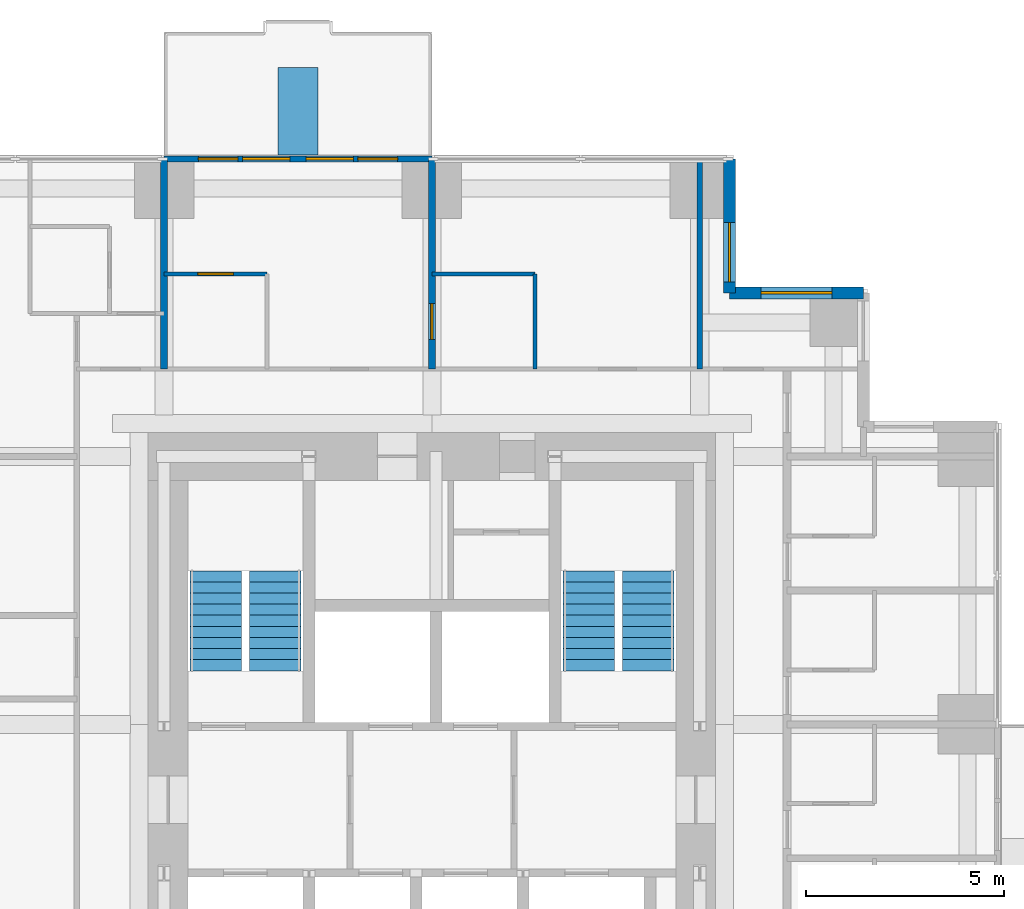
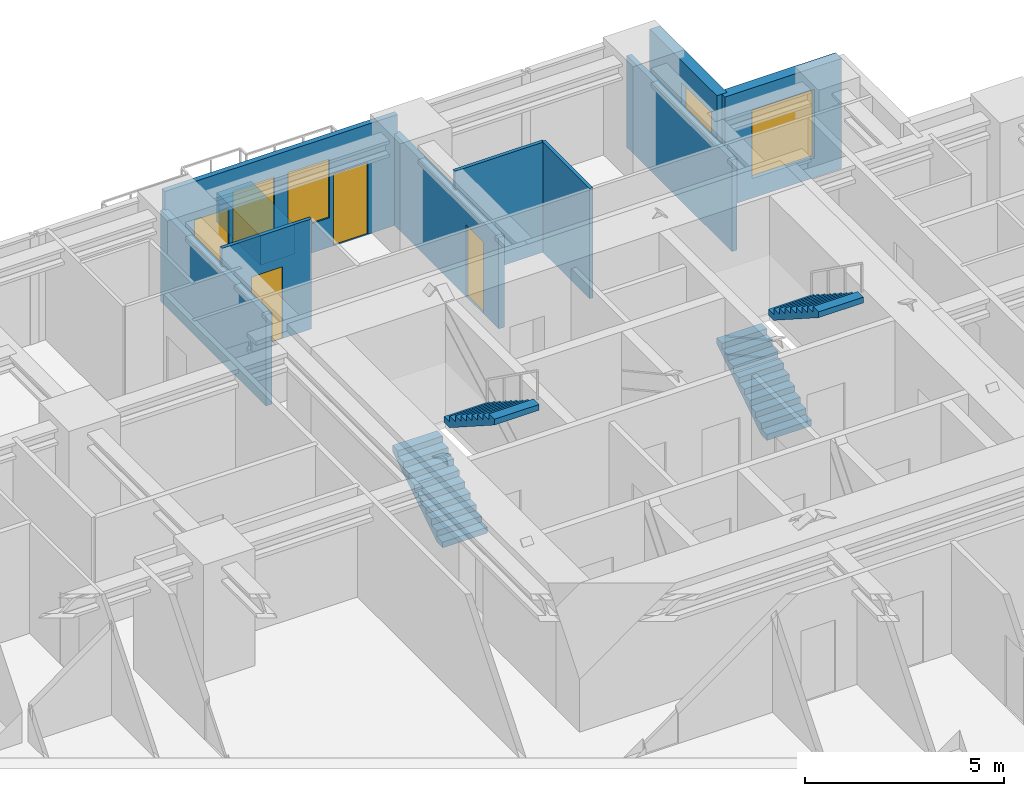
# One storey, part 9 of 10: 10 walls, 4 doors, 4 stair flights, 4 windows, 8 openings, 2 elements without a shape of their own.
"""IFC4 building model written with IfcOpenShell, lengths in metres."""

from ifc_helpers import new_model, si_unit, direction, frame, frame_2d, origin, place, context, subcontext, project, spatial, polyline, rectangle, outline, extrude, material, layer, layer_set, type_object, element, fill, aggregate, save


model = new_model("IFC4")

# Units and contexts
model_context = context("Model", 3, precision=1e-05, world=origin(), true_north=direction((0.0, 1.0)))
body_context = subcontext(model_context, "Body", "Model", "MODEL_VIEW")
ifc_project = project(units=[si_unit("LENGTHUNIT", "METRE"), si_unit("AREAUNIT", "SQUARE_METRE"), si_unit("VOLUMEUNIT", "CUBIC_METRE"), si_unit("PLANEANGLEUNIT", "RADIAN"), si_unit("MASSUNIT", "GRAM", prefix="KILO")], contexts=[model_context])

# Site, building, storey
site_placement = place(None, origin())
site = spatial("IfcSite", under=ifc_project, at=site_placement, CompositionType="ELEMENT")
building_placement = place(site_placement, origin())
building = spatial("IfcBuilding", under=site, at=building_placement, Name="Nyansa Garden Tower", CompositionType="ELEMENT")
storey_placement = place(building_placement, frame((0.0, 0.0, 163.800048828125)))
storey = spatial("IfcBuildingStorey", under=building, at=storey_placement, Name="L44", CompositionType="ELEMENT", Elevation=163.800048828125)

# Wall
ifc_material_1 = material(Name="Dense blockwork, plastered both sides, 55 dB", Category="masonry")
ifc_layer_1 = layer(ifc_material_1, 0.175048828125)
ifc_layer_set_1 = layer_set([ifc_layer_1], Name="Acoustic party wall PW175")
wall_type_1 = type_object("IfcWallType", Name="Acoustic party wall PW175", PredefinedType="PARTITIONING", material=ifc_layer_set_1)
wall_1_placement = place(storey_placement, frame((13.5, 29.199951171875, 0.0), z_axis=(0.0, 0.0, 1.0), x_axis=(0.0, 1.0, 0.0)))
element("IfcWall", 1, at=wall_1_placement, inside=storey, type_object=wall_type_1, Name="Party wall", PredefinedType="PARTITIONING", context=body_context, shape_type="SweptSolid", body=[
    extrude(rectangle(XDim=5.283935546875, YDim=0.175048828125, at=frame_2d((2.64208984375, 0.0))), origin(), (0.0, 0.0, 1.0), 2.805908203125),
])

# Wall, opening, door
wall_2_placement = place(storey_placement, frame((20.25, 29.199951171875, 0.0), z_axis=(0.0, 0.0, 1.0), x_axis=(0.0, 1.0, 0.0)))
wall_2 = element("IfcWall", 2, at=wall_2_placement, inside=storey, type_object=wall_type_1, Name="Party wall", PredefinedType="PARTITIONING", context=body_context, shape_type="SweptSolid", body=[
    extrude(rectangle(XDim=5.283935546875, YDim=0.175048828125, at=frame_2d((2.64208984375, 0.0))), origin(), (0.0, 0.0, 1.0), 2.805908203125),
])
opening_1_placement = place(wall_2_placement, frame((0.75, 0.0, 0.0)))
opening_1 = element("IfcOpeningElement", 3, at=opening_1_placement, cuts=wall_2, Name="Opening D02", PredefinedType="OPENING", context=body_context, shape_type="SweptSolid", body=[
    extrude(rectangle(XDim=0.89990234375, YDim=2.199951171875, at=frame_2d((0.449951171875, 1.10009765625))), frame((0.0, 0.097412109375, 0.0), z_axis=(0.0, -1.0, 0.0), x_axis=(1.0, 0.0, 0.0)), (0.0, 0.0, 1.0), 0.195068359375),
])
ifc_material_2 = material(Name="Timber flush door", Category="wood")
door_type_1 = type_object("IfcDoorType", Name="En-suite door D02 900x2200", OperationType="SINGLE_SWING_RIGHT", PredefinedType="DOOR", material=ifc_material_2)
door_1_placement = place(opening_1_placement, origin())
door_1 = element("IfcDoor", 4, at=door_1_placement, inside=storey, type_object=door_type_1, Name="Door L44-046", OperationType="SINGLE_SWING_RIGHT", OverallHeight=2.199951171875, OverallWidth=0.89990234375, PredefinedType="DOOR", context=body_context, shape_type="SweptSolid", body=[
    extrude(rectangle(XDim=0.89990234375, YDim=2.199951171875, at=frame_2d((0.449951171875, 1.10009765625))), frame((0.0, 0.02490234375, 0.0), z_axis=(0.0, -1.0, 0.0), x_axis=(1.0, 0.0, 0.0)), (0.0, 0.0, 1.0), 0.050048828125),
])
fill(opening_1, door_1)

# Wall, openings, doors, windows
ifc_material_3 = material(Name="Black aluminium framed glazed screen", Category="aluminium")
ifc_layer_2 = layer(ifc_material_3, 0.14990234375)
ifc_layer_set_2 = layer_set([ifc_layer_2], Name="Balcony screen wall BW150")
wall_type_2 = type_object("IfcWallType", Name="Balcony screen wall BW150", PredefinedType="SOLIDWALL", material=ifc_layer_set_2)
wall_3_placement = place(storey_placement, frame((13.5, 34.5, 0.0), z_axis=(0.0, 0.0, 1.0), x_axis=(1.0, 0.0, 0.0)))
wall_3 = element("IfcWall", 5, at=wall_3_placement, inside=storey, type_object=wall_type_2, Name="Glazed screen wall L44 N", PredefinedType="SOLIDWALL", context=body_context, shape_type="SweptSolid", body=[
    extrude(rectangle(XDim=6.75, YDim=0.14990234375, at=frame_2d((3.375, 0.0))), origin(), (0.0, 0.0, 1.0), 3.375),
])
opening_2_placement = place(wall_3_placement, frame((0.862548828125, 0.0, 0.0)))
opening_2 = element("IfcOpeningElement", 6, at=opening_2_placement, cuts=wall_3, Name="Opening D20", PredefinedType="OPENING", context=body_context, shape_type="SweptSolid", body=[
    extrude(rectangle(XDim=1.0, YDim=2.199951171875, at=frame_2d((0.5, 1.10009765625))), frame((0.0, 0.0849609375, 0.0), z_axis=(0.0, -1.0, 0.0), x_axis=(1.0, 0.0, 0.0)), (0.0, 0.0, 1.0), 0.169921875),
])
opening_3_placement = place(wall_3_placement, frame((1.97509765625, 0.0, 0.89990234375)))
opening_3 = element("IfcOpeningElement", 7, at=opening_3_placement, cuts=wall_3, Name="Opening W6", PredefinedType="OPENING", context=body_context, shape_type="SweptSolid", body=[
    extrude(rectangle(XDim=1.199951171875, YDim=1.800048828125, at=frame_2d((0.60009765625, 0.89990234375))), frame((0.0, 0.0849609375, 0.0), z_axis=(0.0, -1.0, 0.0), x_axis=(1.0, 0.0, 0.0)), (0.0, 0.0, 1.0), 0.169921875),
])
opening_4_placement = place(wall_3_placement, frame((4.887451171875, 0.0, 0.0)))
opening_4 = element("IfcOpeningElement", 8, at=opening_4_placement, cuts=wall_3, Name="Opening D20", PredefinedType="OPENING", context=body_context, shape_type="SweptSolid", body=[
    extrude(rectangle(XDim=1.0, YDim=2.199951171875, at=frame_2d((0.5, 1.10009765625))), frame((0.0, 0.0849609375, 0.0), z_axis=(0.0, -1.0, 0.0), x_axis=(1.0, 0.0, 0.0)), (0.0, 0.0, 1.0), 0.169921875),
])
opening_5_placement = place(wall_3_placement, frame((3.574951171875, 0.0, 0.89990234375)))
opening_5 = element("IfcOpeningElement", 9, at=opening_5_placement, cuts=wall_3, Name="Opening W6", PredefinedType="OPENING", context=body_context, shape_type="SweptSolid", body=[
    extrude(rectangle(XDim=1.199951171875, YDim=1.800048828125, at=frame_2d((0.60009765625, 0.89990234375))), frame((0.0, 0.0849609375, 0.0), z_axis=(0.0, -1.0, 0.0), x_axis=(1.0, 0.0, 0.0)), (0.0, 0.0, 1.0), 0.169921875),
])
ifc_material_4 = material(Name="Black aluminium framed glazed door", Category="aluminium")
door_type_2 = type_object("IfcDoorType", Name="Balcony door D20 1000x2200", OperationType="NOTDEFINED", PredefinedType="DOOR", material=ifc_material_4)
door_2_placement = place(opening_2_placement, origin())
door_2 = element("IfcDoor", 10, at=door_2_placement, inside=storey, type_object=door_type_2, Name="Balcony door L44", OperationType="SINGLE_SWING_LEFT", OverallHeight=2.199951171875, OverallWidth=1.0, PredefinedType="DOOR", context=body_context, shape_type="SweptSolid", body=[
    extrude(rectangle(XDim=1.0, YDim=2.199951171875, at=frame_2d((0.5, 1.10009765625))), frame((0.0, 0.02490234375, 0.0), z_axis=(0.0, -1.0, 0.0), x_axis=(1.0, 0.0, 0.0)), (0.0, 0.0, 1.0), 0.050048828125),
])
fill(opening_2, door_2)
door_3_placement = place(opening_4_placement, origin())
door_3 = element("IfcDoor", 11, at=door_3_placement, inside=storey, type_object=door_type_2, Name="Balcony door L44", OperationType="SINGLE_SWING_RIGHT", OverallHeight=2.199951171875, OverallWidth=1.0, PredefinedType="DOOR", context=body_context, shape_type="SweptSolid", body=[
    extrude(rectangle(XDim=1.0, YDim=2.199951171875, at=frame_2d((0.5, 1.10009765625))), frame((0.0, 0.02490234375, 0.0), z_axis=(0.0, -1.0, 0.0), x_axis=(1.0, 0.0, 0.0)), (0.0, 0.0, 1.0), 0.050048828125),
])
fill(opening_4, door_3)
ifc_material_5 = material(Name="Black aluminium frame, dark tinted double glazing", Category="aluminium")
window_type_1 = type_object("IfcWindowType", Name="Balcony window W6 1200x1800", PartitioningType="SINGLE_PANEL", PredefinedType="WINDOW", material=ifc_material_5)
window_1_placement = place(opening_3_placement, origin())
window_1 = element("IfcWindow", 12, at=window_1_placement, inside=storey, type_object=window_type_1, Name="Window L44", OverallHeight=1.800048828125, OverallWidth=1.199951171875, PartitioningType="SINGLE_PANEL", PredefinedType="WINDOW", context=body_context, shape_type="SweptSolid", body=[
    extrude(rectangle(XDim=1.199951171875, YDim=1.800048828125, at=frame_2d((0.60009765625, 0.89990234375))), frame((0.0, 0.030029296875, 0.0), z_axis=(0.0, -1.0, 0.0), x_axis=(1.0, 0.0, 0.0)), (0.0, 0.0, 1.0), 0.06005859375),
])
fill(opening_3, window_1)
window_2_placement = place(opening_5_placement, origin())
window_2 = element("IfcWindow", 13, at=window_2_placement, inside=storey, type_object=window_type_1, Name="Window L44", OverallHeight=1.800048828125, OverallWidth=1.199951171875, PartitioningType="SINGLE_PANEL", PredefinedType="WINDOW", context=body_context, shape_type="SweptSolid", body=[
    extrude(rectangle(XDim=1.199951171875, YDim=1.800048828125, at=frame_2d((0.60009765625, 0.89990234375))), frame((0.0, 0.030029296875, 0.0), z_axis=(0.0, -1.0, 0.0), x_axis=(1.0, 0.0, 0.0)), (0.0, 0.0, 1.0), 0.06005859375),
])
fill(opening_5, window_2)

# Wall
ifc_material_6 = material(Name="Blockwork, plastered both sides", Category="masonry")
ifc_layer_3 = layer(ifc_material_6, 0.14990234375)
ifc_layer_set_3 = layer_set([ifc_layer_3], Name="Partition PW150")
wall_type_3 = type_object("IfcWallType", Name="Partition PW150", PredefinedType="PARTITIONING", material=ifc_layer_set_3)
wall_4_placement = place(storey_placement, frame((27.0, 29.199951171875, 0.0), z_axis=(0.0, 0.0, 1.0), x_axis=(0.0, 1.0, 0.0)))
element("IfcWall", 14, at=wall_4_placement, inside=storey, type_object=wall_type_3, Name="Partition", PredefinedType="PARTITIONING", context=body_context, shape_type="SweptSolid", body=[
    extrude(rectangle(XDim=5.283935546875, YDim=0.14990234375, at=frame_2d((2.64208984375, 0.0))), origin(), (0.0, 0.0, 1.0), 2.805908203125),
])

# Wall, opening, window
ifc_material_7 = material(Name="Turquoise glazed tile on concrete blockwork", Category="masonry")
ifc_layer_4 = layer(ifc_material_7, 0.300048828125)
ifc_layer_set_4 = layer_set([ifc_layer_4], Name="Tiled corner wall TW300")
wall_type_4 = type_object("IfcWallType", Name="Tiled corner wall TW300", PredefinedType="SOLIDWALL", material=ifc_layer_set_4)
wall_5_placement = place(storey_placement, frame((31.125, 31.125, 0.0), z_axis=(0.0, 0.0, 1.0), x_axis=(-1.0, 0.0, 0.0)))
wall_5 = element("IfcWall", 15, at=wall_5_placement, inside=storey, type_object=wall_type_4, Name="Tiled corner wall L44", PredefinedType="SOLIDWALL", context=body_context, shape_type="SweptSolid", body=[
    extrude(rectangle(XDim=3.375, YDim=0.300048828125, at=frame_2d((1.6875, 0.0))), origin(), (0.0, 0.0, 1.0), 3.375),
])
opening_6_placement = place(wall_5_placement, frame((0.78759765625, 0.0, 0.60009765625)))
opening_6 = element("IfcOpeningElement", 16, at=opening_6_placement, cuts=wall_5, Name="Opening W2", PredefinedType="OPENING", context=body_context, shape_type="SweptSolid", body=[
    extrude(rectangle(XDim=1.800048828125, YDim=2.10009765625, at=frame_2d((0.89990234375, 1.050048828125))), frame((0.0, 0.159912109375, 0.0), z_axis=(0.0, -1.0, 0.0), x_axis=(1.0, 0.0, 0.0)), (0.0, 0.0, 1.0), 0.320068359375),
])
ifc_material_8 = material(Name="Black aluminium frame, dark tinted double glazing", Category="aluminium")
window_type_2 = type_object("IfcWindowType", Name="Window W2 1800x2100", PartitioningType="SINGLE_PANEL", PredefinedType="WINDOW", material=ifc_material_8)
window_3_placement = place(opening_6_placement, origin())
window_3 = element("IfcWindow", 17, at=window_3_placement, inside=storey, type_object=window_type_2, Name="Corner window L44", OverallHeight=2.10009765625, OverallWidth=1.800048828125, PartitioningType="SINGLE_PANEL", PredefinedType="WINDOW", context=body_context, shape_type="SweptSolid", body=[
    extrude(rectangle(XDim=1.800048828125, YDim=2.10009765625, at=frame_2d((0.89990234375, 1.050048828125))), frame((0.0, 0.030029296875, 0.0), z_axis=(0.0, -1.0, 0.0), x_axis=(1.0, 0.0, 0.0)), (0.0, 0.0, 1.0), 0.06005859375),
])
fill(opening_6, window_3)

wall_6_placement = place(storey_placement, frame((27.75, 31.125, 0.0), z_axis=(0.0, 0.0, 1.0), x_axis=(0.0, 1.0, 0.0)))
wall_6 = element("IfcWall", 18, at=wall_6_placement, inside=storey, type_object=wall_type_4, Name="Tiled corner wall L44", PredefinedType="SOLIDWALL", context=body_context, shape_type="SweptSolid", body=[
    extrude(rectangle(XDim=3.375, YDim=0.300048828125, at=frame_2d((1.6875, 0.0))), origin(), (0.0, 0.0, 1.0), 3.375),
])
opening_7_placement = place(wall_6_placement, frame((0.267578125, 0.0, 0.89990234375)))
opening_7 = element("IfcOpeningElement", 19, at=opening_7_placement, cuts=wall_6, Name="Opening W1", PredefinedType="OPENING", context=body_context, shape_type="SweptSolid", body=[
    extrude(rectangle(XDim=1.5, YDim=1.800048828125, at=frame_2d((0.75, 0.89990234375))), frame((0.0, 0.159912109375, 0.0), z_axis=(0.0, -1.0, 0.0), x_axis=(1.0, 0.0, 0.0)), (0.0, 0.0, 1.0), 0.320068359375),
])
ifc_material_9 = material(Name="Black aluminium frame, dark tinted double glazing", Category="aluminium")
window_type_3 = type_object("IfcWindowType", Name="Window W1 1500x1800", PartitioningType="SINGLE_PANEL", PredefinedType="WINDOW", material=ifc_material_9)
window_4_placement = place(opening_7_placement, origin())
window_4 = element("IfcWindow", 20, at=window_4_placement, inside=storey, type_object=window_type_3, Name="Corner window L44", OverallHeight=1.800048828125, OverallWidth=1.5, PartitioningType="SINGLE_PANEL", PredefinedType="WINDOW", context=body_context, shape_type="SweptSolid", body=[
    extrude(rectangle(XDim=1.5, YDim=1.800048828125, at=frame_2d((0.75, 0.89990234375))), frame((0.0, 0.030029296875, 0.0), z_axis=(0.0, -1.0, 0.0), x_axis=(1.0, 0.0, 0.0)), (0.0, 0.0, 1.0), 0.06005859375),
])
fill(opening_7, window_4)

# Wall
ifc_material_10 = material(Name="Concrete C40/50 planter, waterproofed", Category="concrete")
ifc_layer_5 = layer(ifc_material_10, 1.0)
ifc_layer_set_5 = layer_set([ifc_layer_5], Name="Tree planter TP1")
wall_type_5 = type_object("IfcWallType", Name="Tree planter TP1", PredefinedType="USERDEFINED", material=ifc_layer_set_5)
wall_7_placement = place(storey_placement, frame((16.875, 34.60009765625, 0.0), z_axis=(0.0, 0.0, 1.0), x_axis=(0.0, 1.0, 0.0)))
element("IfcWall", 21, at=wall_7_placement, inside=storey, type_object=wall_type_5, Name="Tree planter L44", ObjectType="TREE PLANTER", PredefinedType="USERDEFINED", context=body_context, shape_type="SweptSolid", body=[
    extrude(rectangle(XDim=2.199951171875, YDim=1.0, at=frame_2d((1.10009765625, 0.0))), origin(), (0.0, 0.0, 1.0), 0.89990234375),
])

# Wall, opening, door
ifc_material_11 = material(Name="Moisture resistant board on steel studs, tiled", Category="steel")
ifc_layer_6 = layer(ifc_material_11, 0.10009765625)
ifc_layer_set_6 = layer_set([ifc_layer_6], Name="Wet wall PW100")
wall_type_6 = type_object("IfcWallType", Name="Wet wall PW100", PredefinedType="PARTITIONING", material=ifc_layer_set_6)
wall_8_placement = place(storey_placement, frame((13.5, 31.60009765625, 0.0), z_axis=(0.0, 0.0, 1.0), x_axis=(1.0, 0.0, 0.0)))
wall_8 = element("IfcWall", 22, at=wall_8_placement, inside=storey, type_object=wall_type_6, Name="Wet wall", PredefinedType="PARTITIONING", context=body_context, shape_type="SweptSolid", body=[
    extrude(rectangle(XDim=2.60009765625, YDim=0.10009765625, at=frame_2d((1.300048828125, 0.0))), origin(), (0.0, 0.0, 1.0), 3.375),
])
opening_8_placement = place(wall_8_placement, frame((0.85009765625, 0.0, 0.0)))
opening_8 = element("IfcOpeningElement", 23, at=opening_8_placement, cuts=wall_8, Name="Opening D02", PredefinedType="OPENING", context=body_context, shape_type="SweptSolid", body=[
    extrude(rectangle(XDim=0.89990234375, YDim=2.199951171875, at=frame_2d((0.449951171875, 1.10009765625))), frame((0.0, 0.06005859375, 0.0), z_axis=(0.0, -1.0, 0.0), x_axis=(1.0, 0.0, 0.0)), (0.0, 0.0, 1.0), 0.1201171875),
])
door_4_placement = place(opening_8_placement, origin())
door_4 = element("IfcDoor", 24, at=door_4_placement, inside=storey, type_object=door_type_1, Name="Door L44-044", OperationType="SINGLE_SWING_RIGHT", OverallHeight=2.199951171875, OverallWidth=0.89990234375, PredefinedType="DOOR", context=body_context, shape_type="SweptSolid", body=[
    extrude(rectangle(XDim=0.89990234375, YDim=2.199951171875, at=frame_2d((0.449951171875, 1.10009765625))), frame((0.0, 0.02490234375, 0.0), z_axis=(0.0, -1.0, 0.0), x_axis=(1.0, 0.0, 0.0)), (0.0, 0.0, 1.0), 0.050048828125),
])
fill(opening_8, door_4)

# Walls
wall_9_placement = place(storey_placement, frame((20.25, 31.60009765625, 0.0), z_axis=(0.0, 0.0, 1.0), x_axis=(1.0, 0.0, 0.0)))
element("IfcWall", 25, at=wall_9_placement, inside=storey, type_object=wall_type_6, Name="Wet wall", PredefinedType="PARTITIONING", context=body_context, shape_type="SweptSolid", body=[
    extrude(rectangle(XDim=2.60009765625, YDim=0.10009765625, at=frame_2d((1.300048828125, 0.0))), origin(), (0.0, 0.0, 1.0), 3.375),
])
wall_10_placement = place(storey_placement, frame((22.85009765625, 29.199951171875, 0.0), z_axis=(0.0, 0.0, 1.0), x_axis=(0.0, 1.0, 0.0)))
element("IfcWall", 26, at=wall_10_placement, inside=storey, type_object=wall_type_6, Name="Wet wall", PredefinedType="PARTITIONING", context=body_context, shape_type="SweptSolid", body=[
    extrude(rectangle(XDim=2.400146484375, YDim=0.10009765625, at=frame_2d((1.2001953125, 0.0))), origin(), (0.0, 0.0, 1.0), 3.375),
])

# Stair, stair flights
ifc_material_12 = material(Name="Precast concrete C40/50", Category="concrete")
stair_type_1 = type_object("IfcStairType", Name="Stair S1 180x280", PredefinedType="HALF_TURN_STAIR", material=ifc_material_12)
stair_1_placement = place(storey_placement, origin())
stair_1 = element("IfcStair", 27, at=stair_1_placement, inside=storey, type_object=stair_type_1, Name="Stair S1 L44", PredefinedType="HALF_TURN_STAIR")
ifc_material_13 = material(Name="Precast concrete C40/50", Category="concrete")
stair_flight_type_1 = type_object("IfcStairFlightType", Name="Stair flight S1 180x280x10", PredefinedType="STRAIGHT", material=ifc_material_13)
stair_flight_1_placement = place(storey_placement, frame((14.800048828125, 21.60009765625, 0.0), z_axis=(0.0, 0.0, 1.0), x_axis=(0.0, 1.0, 0.0)))
stair_flight_1 = element("IfcStairFlight", 28, at=stair_flight_1_placement, type_object=stair_flight_type_1, Name="S1 flight 1", NumberOfRisers=10, NumberOfTreads=9, PredefinedType="STRAIGHT", RiserHeight=0.18, TreadLength=0.28, context=body_context, shape_type="SweptSolid", body=[
    extrude(outline(polyline([(0.0, 0.0), (0.0, 0.179931640625), (0.280029296875, 0.179931640625), (0.280029296875, 0.360107421875), (0.56005859375, 0.360107421875), (0.56005859375, 0.5400390625), (0.840087890625, 0.5400390625), (0.840087890625, 0.719970703125), (1.1201171875, 0.719970703125), (1.1201171875, 0.89990234375), (1.39990234375, 0.89990234375), (1.39990234375, 1.080078125), (1.679931640625, 1.080078125), (1.679931640625, 1.260009765625), (1.9599609375, 1.260009765625), (1.9599609375, 1.43994140625), (2.239990234375, 1.43994140625), (2.239990234375, 1.6201171875), (2.52001953125, 1.6201171875), (2.52001953125, 1.800048828125), (2.52001953125, 1.44189453125), (0.277099609375, 0.0), (0.0, 0.0)])), frame((0.0, 0.64990234375, 0.0), z_axis=(0.0, -1.0, 0.0), x_axis=(1.0, 0.0, 0.0)), (0.0, 0.0, 1.0), 1.300048828125),
])
stair_flight_2_placement = place(storey_placement, frame((16.300048828125, 24.1201171875, 1.800048828125), z_axis=(0.0, 0.0, 1.0), x_axis=(0.0, -1.0, 0.0)))
stair_flight_2 = element("IfcStairFlight", 29, at=stair_flight_2_placement, type_object=stair_flight_type_1, Name="S1 flight 2", NumberOfRisers=10, NumberOfTreads=9, PredefinedType="STRAIGHT", RiserHeight=0.18, TreadLength=0.28, context=body_context, shape_type="SweptSolid", body=[
    extrude(outline(polyline([(0.0, 0.0), (0.0, 0.179931640625), (0.280029296875, 0.179931640625), (0.280029296875, 0.360107421875), (0.56005859375, 0.360107421875), (0.56005859375, 0.5400390625), (0.840087890625, 0.5400390625), (0.840087890625, 0.719970703125), (1.1201171875, 0.719970703125), (1.1201171875, 0.89990234375), (1.39990234375, 0.89990234375), (1.39990234375, 1.080078125), (1.679931640625, 1.080078125), (1.679931640625, 1.260009765625), (1.9599609375, 1.260009765625), (1.9599609375, 1.43994140625), (2.239990234375, 1.43994140625), (2.239990234375, 1.6201171875), (2.52001953125, 1.6201171875), (2.52001953125, 1.800048828125), (2.52001953125, 1.44189453125), (0.277099609375, 0.0), (0.0, 0.0)])), frame((0.0, 0.64990234375, 0.0), z_axis=(0.0, -1.0, 0.0), x_axis=(1.0, 0.0, 0.0)), (0.0, 0.0, 1.0), 1.300048828125),
])
aggregate(stair_1, [stair_flight_1, stair_flight_2])

ifc_material_14 = material(Name="Precast concrete C40/50", Category="concrete")
stair_type_2 = type_object("IfcStairType", Name="Stair S2 180x280", PredefinedType="HALF_TURN_STAIR", material=ifc_material_14)
stair_2_placement = place(storey_placement, origin())
stair_2 = element("IfcStair", 30, at=stair_2_placement, inside=storey, type_object=stair_type_2, Name="Stair S2 L44", PredefinedType="HALF_TURN_STAIR")
ifc_material_15 = material(Name="Precast concrete C40/50", Category="concrete")
stair_flight_type_2 = type_object("IfcStairFlightType", Name="Stair flight S2 180x280x10", PredefinedType="STRAIGHT", material=ifc_material_15)
stair_flight_3_placement = place(storey_placement, frame((24.199951171875, 21.60009765625, 0.0), z_axis=(0.0, 0.0, 1.0), x_axis=(0.0, 1.0, 0.0)))
stair_flight_3 = element("IfcStairFlight", 31, at=stair_flight_3_placement, type_object=stair_flight_type_2, Name="S2 flight 1", NumberOfRisers=10, NumberOfTreads=9, PredefinedType="STRAIGHT", RiserHeight=0.18, TreadLength=0.28, context=body_context, shape_type="SweptSolid", body=[
    extrude(outline(polyline([(0.0, 0.0), (0.0, 0.179931640625), (0.280029296875, 0.179931640625), (0.280029296875, 0.360107421875), (0.56005859375, 0.360107421875), (0.56005859375, 0.5400390625), (0.840087890625, 0.5400390625), (0.840087890625, 0.719970703125), (1.1201171875, 0.719970703125), (1.1201171875, 0.89990234375), (1.39990234375, 0.89990234375), (1.39990234375, 1.080078125), (1.679931640625, 1.080078125), (1.679931640625, 1.260009765625), (1.9599609375, 1.260009765625), (1.9599609375, 1.43994140625), (2.239990234375, 1.43994140625), (2.239990234375, 1.6201171875), (2.52001953125, 1.6201171875), (2.52001953125, 1.800048828125), (2.52001953125, 1.44189453125), (0.277099609375, 0.0), (0.0, 0.0)])), frame((0.0, 0.64990234375, 0.0), z_axis=(0.0, -1.0, 0.0), x_axis=(1.0, 0.0, 0.0)), (0.0, 0.0, 1.0), 1.300048828125),
])
stair_flight_4_placement = place(storey_placement, frame((25.699951171875, 24.1201171875, 1.800048828125), z_axis=(0.0, 0.0, 1.0), x_axis=(0.0, -1.0, 0.0)))
stair_flight_4 = element("IfcStairFlight", 32, at=stair_flight_4_placement, type_object=stair_flight_type_2, Name="S2 flight 2", NumberOfRisers=10, NumberOfTreads=9, PredefinedType="STRAIGHT", RiserHeight=0.18, TreadLength=0.28, context=body_context, shape_type="SweptSolid", body=[
    extrude(outline(polyline([(0.0, 0.0), (0.0, 0.179931640625), (0.280029296875, 0.179931640625), (0.280029296875, 0.360107421875), (0.56005859375, 0.360107421875), (0.56005859375, 0.5400390625), (0.840087890625, 0.5400390625), (0.840087890625, 0.719970703125), (1.1201171875, 0.719970703125), (1.1201171875, 0.89990234375), (1.39990234375, 0.89990234375), (1.39990234375, 1.080078125), (1.679931640625, 1.080078125), (1.679931640625, 1.260009765625), (1.9599609375, 1.260009765625), (1.9599609375, 1.43994140625), (2.239990234375, 1.43994140625), (2.239990234375, 1.6201171875), (2.52001953125, 1.6201171875), (2.52001953125, 1.800048828125), (2.52001953125, 1.44189453125), (0.277099609375, 0.0), (0.0, 0.0)])), frame((0.0, 0.64990234375, 0.0), z_axis=(0.0, -1.0, 0.0), x_axis=(1.0, 0.0, 0.0)), (0.0, 0.0, 1.0), 1.300048828125),
])
aggregate(stair_2, [stair_flight_3, stair_flight_4])

save(model, "model.ifc")
